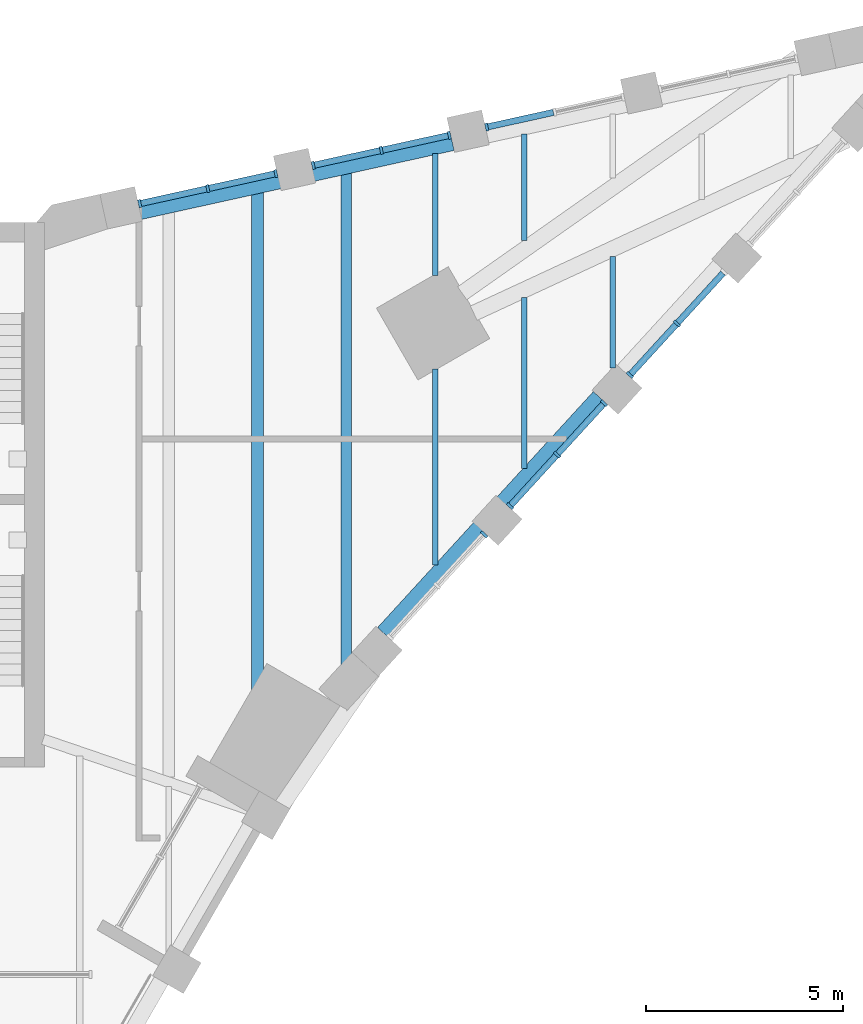
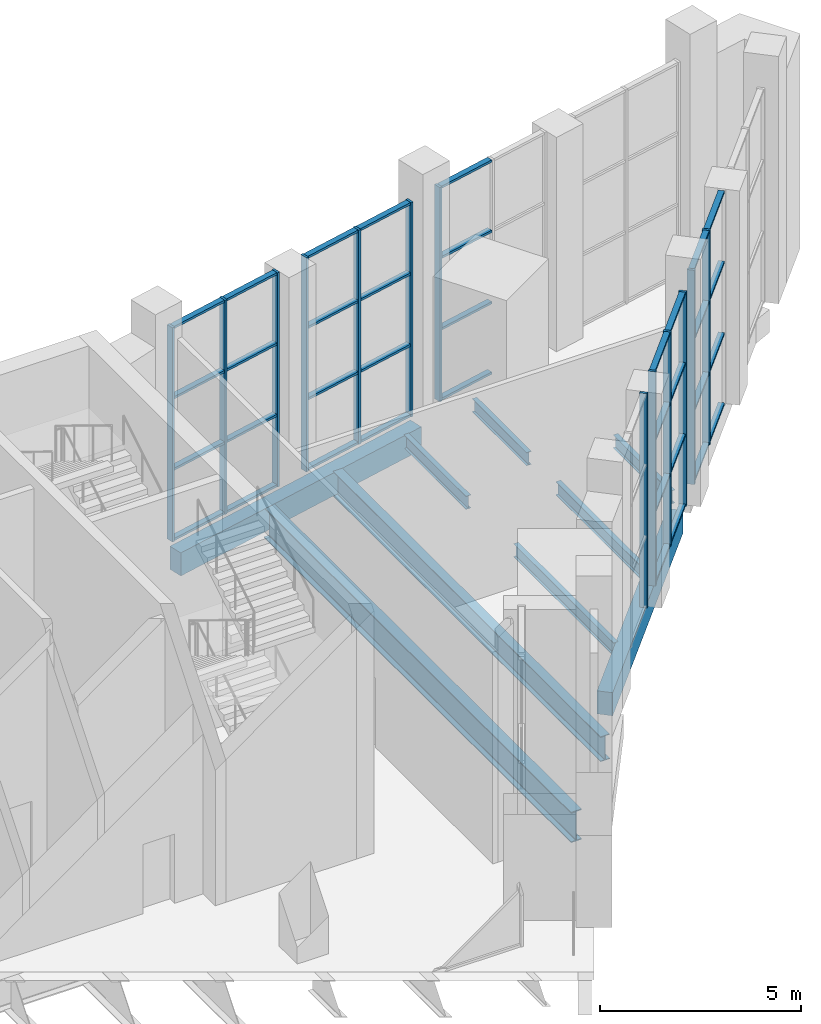
# One storey, part 5 of 14: 49 members, 9 beams, 6 elements without a shape of their own.
"""IFC4 building model written with IfcOpenShell, lengths in metres."""

from ifc_helpers import new_model, si_unit, direction, frame, origin, origin_2d, place, context, subcontext, project, spatial, rectangle, i_section, extrude, material, material_profile, profile_set, type_object, element, aggregate, save


model = new_model("IFC4")

# Units and contexts
model_context = context("Model", 3, precision=1e-05, world=origin(), true_north=direction((0.0, 1.0)))
body_context = subcontext(model_context, "Body", "Model", "MODEL_VIEW")
ifc_project = project(units=[si_unit("LENGTHUNIT", "METRE"), si_unit("AREAUNIT", "SQUARE_METRE"), si_unit("VOLUMEUNIT", "CUBIC_METRE"), si_unit("PLANEANGLEUNIT", "RADIAN"), si_unit("MASSUNIT", "GRAM", prefix="KILO")], contexts=[model_context])

# Site, building, storey
site_placement = place(None, origin())
site = spatial("IfcSite", under=ifc_project, at=site_placement, CompositionType="ELEMENT")
building_placement = place(site_placement, origin())
building = spatial("IfcBuilding", under=site, at=building_placement, Name="Calabash Gate Tower", CompositionType="ELEMENT")
storey_placement = place(building_placement, frame((0.0, 0.0, 295.0)))
storey = spatial("IfcBuildingStorey", under=building, at=storey_placement, Name="L71", CompositionType="ELEMENT", Elevation=295.0)

# Beams
ifc_material_1 = material(Name="Concrete C50/60", Category="concrete")
ifc_material_profile_1 = material_profile(ifc_material_1, rectangle(XDim=0.39990234375, YDim=0.699951171875, at=origin_2d()))
ifc_profile_set_1 = profile_set([ifc_material_profile_1], Name="Concrete C50/60")
beam_type_1 = type_object("IfcBeamType", Name="Edge beam RC 400x700 Concrete C50/60", PredefinedType="BEAM", material=ifc_profile_set_1)
beam_1_placement = place(storey_placement, frame((21.18701171875, 8.652099609375, -0.52001953125), z_axis=(0.674873802315, 0.737933161573, 0.0), x_axis=(-0.737933161573, 0.674873802315, 0.0)))
element("IfcBeam", 1, at=beam_1_placement, inside=storey, type_object=beam_type_1, Name="Edge beam L71 10", PredefinedType="BEAM", context=body_context, shape_type="SweptSolid", body=[
    extrude(rectangle(XDim=0.39990234375, YDim=0.699951171875, at=origin_2d()), origin(), (0.0, 0.0, 1.0), 8.099365234375),
])
beam_2_placement = place(storey_placement, frame((22.93603515625, 21.06591796875, -0.52001953125), z_axis=(-0.976517152373, -0.215439669332, 0.0), x_axis=(0.215439669332, -0.976517152373, 0.0)))
element("IfcBeam", 2, at=beam_2_placement, inside=storey, type_object=beam_type_1, Name="Edge beam L71 15", PredefinedType="BEAM", context=body_context, shape_type="SweptSolid", body=[
    extrude(rectangle(XDim=0.39990234375, YDim=0.699951171875, at=origin_2d()), origin(), (0.0, 0.0, 1.0), 8.09912109375),
])
ifc_material_2 = material(Name="Steel ASTM A992 Gr50", Category="steel")
ifc_material_profile_2 = material_profile(ifc_material_2, i_section(OverallWidth=0.1396484375, OverallDepth=0.398681640625, WebThickness=0.00634765625, FlangeThickness=0.0087890625, FilletRadius=0.01025390625, at=origin_2d()))
ifc_profile_set_2 = profile_set([ifc_material_profile_2], Name="Steel ASTM A992 Gr50")
beam_type_2 = type_object("IfcBeamType", Name="Floor beam W16x26 ASTM A992 Gr50", PredefinedType="BEAM", material=ifc_profile_set_2)
beam_3_placement = place(storey_placement, frame((22.5, 10.3720703125, -0.368896484375), z_axis=(0.0, 1.0, 0.0), x_axis=(-1.0, 0.0, 0.0)))
element("IfcBeam", 3, at=beam_3_placement, inside=storey, type_object=beam_type_2, Name="Floor beam L71 29", PredefinedType="BEAM", context=body_context, shape_type="SweptSolid", body=[
    extrude(i_section(OverallWidth=0.1396484375, OverallDepth=0.398681640625, WebThickness=0.00634765625, FlangeThickness=0.0087890625, FilletRadius=0.01025390625, at=origin_2d()), origin(), (0.0, 0.0, 1.0), 4.969970703125),
])
beam_4_placement = place(storey_placement, frame((22.5, 17.702880859375, -0.368896484375), z_axis=(0.0, 1.0, 0.0), x_axis=(-1.0, 0.0, 0.0)))
element("IfcBeam", 4, at=beam_4_placement, inside=storey, type_object=beam_type_2, Name="Floor beam L71 30", PredefinedType="BEAM", context=body_context, shape_type="SweptSolid", body=[
    extrude(i_section(OverallWidth=0.1396484375, OverallDepth=0.398681640625, WebThickness=0.00634765625, FlangeThickness=0.0087890625, FilletRadius=0.01025390625, at=origin_2d()), origin(), (0.0, 0.0, 1.0), 3.09423828125),
])
beam_5_placement = place(storey_placement, frame((24.75, 12.81298828125, -0.368896484375), z_axis=(0.0, 1.0, 0.0), x_axis=(-1.0, 0.0, 0.0)))
element("IfcBeam", 5, at=beam_5_placement, inside=storey, type_object=beam_type_2, Name="Floor beam L71 31", PredefinedType="BEAM", context=body_context, shape_type="SweptSolid", body=[
    extrude(i_section(OverallWidth=0.1396484375, OverallDepth=0.398681640625, WebThickness=0.00634765625, FlangeThickness=0.0087890625, FilletRadius=0.01025390625, at=origin_2d()), origin(), (0.0, 0.0, 1.0), 4.328125),
])
beam_6_placement = place(storey_placement, frame((24.75, 18.589111328125, -0.368896484375), z_axis=(0.0, 1.0, 0.0), x_axis=(-1.0, 0.0, 0.0)))
element("IfcBeam", 6, at=beam_6_placement, inside=storey, type_object=beam_type_2, Name="Floor beam L71 32", PredefinedType="BEAM", context=body_context, shape_type="SweptSolid", body=[
    extrude(i_section(OverallWidth=0.1396484375, OverallDepth=0.398681640625, WebThickness=0.00634765625, FlangeThickness=0.0087890625, FilletRadius=0.01025390625, at=origin_2d()), origin(), (0.0, 0.0, 1.0), 2.704833984375),
])
beam_7_placement = place(storey_placement, frame((27.0, 15.35693359375, -0.368896484375), z_axis=(0.0, 1.0, 0.0), x_axis=(-1.0, 0.0, 0.0)))
element("IfcBeam", 7, at=beam_7_placement, inside=storey, type_object=beam_type_2, Name="Floor beam L71 33", PredefinedType="BEAM", context=body_context, shape_type="SweptSolid", body=[
    extrude(i_section(OverallWidth=0.1396484375, OverallDepth=0.398681640625, WebThickness=0.00634765625, FlangeThickness=0.0087890625, FilletRadius=0.01025390625, at=origin_2d()), origin(), (0.0, 0.0, 1.0), 2.8271484375),
])
ifc_material_3 = material(Name="Steel ASTM A992 Gr50", Category="steel")
ifc_material_profile_3 = material_profile(ifc_material_3, i_section(OverallWidth=0.2666015625, OverallDepth=0.7568359375, WebThickness=0.013916015625, FlangeThickness=0.019287109375, FilletRadius=0.0166015625, at=origin_2d()))
ifc_profile_set_3 = profile_set([ifc_material_profile_3], Name="Steel ASTM A992 Gr50")
beam_type_3 = type_object("IfcBeamType", Name="Floor beam W30x108 ASTM A992 Gr50", PredefinedType="BEAM", material=ifc_profile_set_3)
beam_8_placement = place(storey_placement, frame((20.25, 7.011962890625, -0.548095703125), z_axis=(0.0, 1.0, 0.0), x_axis=(-1.0, 0.0, 0.0)))
element("IfcBeam", 8, at=beam_8_placement, inside=storey, type_object=beam_type_3, Name="Floor beam L71 28", PredefinedType="BEAM", context=body_context, shape_type="SweptSolid", body=[
    extrude(i_section(OverallWidth=0.2666015625, OverallDepth=0.7568359375, WebThickness=0.013916015625, FlangeThickness=0.019287109375, FilletRadius=0.0166015625, at=origin_2d()), origin(), (0.0, 0.0, 1.0), 13.2890625),
])
ifc_material_4 = material(Name="Steel ASTM A992 Gr50", Category="steel")
ifc_material_profile_4 = material_profile(ifc_material_4, i_section(OverallWidth=0.307373046875, OverallDepth=0.922119140625, WebThickness=0.018310546875, FlangeThickness=0.030029296875, FilletRadius=0.01904296875, at=origin_2d()))
ifc_profile_set_4 = profile_set([ifc_material_profile_4], Name="Steel ASTM A992 Gr50")
beam_type_4 = type_object("IfcBeamType", Name="Floor beam W36x182 ASTM A992 Gr50", PredefinedType="BEAM", material=ifc_profile_set_4)
beam_9_placement = place(storey_placement, frame((18.0, 4.547119140625, -0.631103515625), z_axis=(0.0, 1.0, 0.0), x_axis=(-1.0, 0.0, 0.0)))
element("IfcBeam", 9, at=beam_9_placement, inside=storey, type_object=beam_type_4, Name="Floor beam L71 27", PredefinedType="BEAM", context=body_context, shape_type="SweptSolid", body=[
    extrude(i_section(OverallWidth=0.307373046875, OverallDepth=0.922119140625, WebThickness=0.018310546875, FlangeThickness=0.030029296875, FilletRadius=0.01904296875, at=origin_2d()), origin(), (0.0, 0.0, 1.0), 15.2568359375),
])

# Curtain wall, member
ifc_material_5 = material(Name="Anodised aluminium frame, bronze finish, clear laminated impact-rated glazing", Category="aluminium")
curtain_wall_type = type_object("IfcCurtainWallType", Name="Curtain wall CWW wedge prow wall", PredefinedType="NOTDEFINED", material=ifc_material_5)
curtain_wall_1_placement = place(storey_placement, origin())
curtain_wall_1 = element("IfcCurtainWall", 10, at=curtain_wall_1_placement, inside=storey, type_object=curtain_wall_type, Name="Curtain wall CWW L71 wedge3.1", PredefinedType="NOTDEFINED")
ifc_material_6 = material(Name="Anodised aluminium frame, bronze finish", Category="aluminium")
ifc_material_profile_5 = material_profile(ifc_material_6, rectangle(XDim=0.199951171875, YDim=0.070068359375, at=origin_2d()))
ifc_profile_set_5 = profile_set([ifc_material_profile_5], Name="Anodised aluminium frame, bronze finish")
member_type_1 = type_object("IfcMemberType", Name="Mullion CWW 70x200", PredefinedType="MULLION", material=ifc_profile_set_5)
member_1_placement = place(storey_placement, frame((23.739990234375, 11.1474609375, 0.0), z_axis=(0.0, 0.0, 1.0), x_axis=(-0.737949526234, 0.674855908125, 0.0)))
member_1 = element("IfcMember", 11, at=member_1_placement, type_object=member_type_1, Name="CWW mullion 3", PredefinedType="MULLION", context=body_context, shape_type="SweptSolid", body=[
    extrude(rectangle(XDim=0.199951171875, YDim=0.070068359375, at=origin_2d()), origin(), (0.0, 0.0, 1.0), 6.5),
])
aggregate(curtain_wall_1, [member_1])

# Curtain wall, members
curtain_wall_2_placement = place(storey_placement, origin())
curtain_wall_2 = element("IfcCurtainWall", 12, at=curtain_wall_2_placement, inside=storey, type_object=curtain_wall_type, Name="Curtain wall CWW L71 wedge3.2", PredefinedType="NOTDEFINED")
member_2_placement = place(storey_placement, frame((24.394775390625, 11.86328125, 0.0), z_axis=(0.0, 0.0, 1.0), x_axis=(-0.737949387896, 0.674856059397, 0.0)))
member_2 = element("IfcMember", 13, at=member_2_placement, type_object=member_type_1, Name="CWW mullion 1", PredefinedType="MULLION", context=body_context, shape_type="SweptSolid", body=[
    extrude(rectangle(XDim=0.199951171875, YDim=0.070068359375, at=origin_2d()), origin(), (0.0, 0.0, 1.0), 6.5),
])
member_3_placement = place(storey_placement, frame((25.585693359375, 13.165771484375, 0.0), z_axis=(0.0, 0.0, 1.0), x_axis=(-0.737949387896, 0.674856059397, 0.0)))
member_3 = element("IfcMember", 14, at=member_3_placement, type_object=member_type_1, Name="CWW mullion 2", PredefinedType="MULLION", context=body_context, shape_type="SweptSolid", body=[
    extrude(rectangle(XDim=0.199951171875, YDim=0.070068359375, at=origin_2d()), origin(), (0.0, 0.0, 1.0), 6.5),
])
member_4_placement = place(storey_placement, frame((26.77685546875, 14.46826171875, 0.0), z_axis=(0.0, 0.0, 1.0), x_axis=(-0.737949387896, 0.674856059397, 0.0)))
member_4 = element("IfcMember", 15, at=member_4_placement, type_object=member_type_1, Name="CWW mullion 3", PredefinedType="MULLION", context=body_context, shape_type="SweptSolid", body=[
    extrude(rectangle(XDim=0.199951171875, YDim=0.070068359375, at=origin_2d()), origin(), (0.0, 0.0, 1.0), 6.5),
])

curtain_wall_3_placement = place(storey_placement, origin())
curtain_wall_3 = element("IfcCurtainWall", 16, at=curtain_wall_3_placement, inside=storey, type_object=curtain_wall_type, Name="Curtain wall CWW L71 wedge3.3", PredefinedType="NOTDEFINED")
member_5_placement = place(storey_placement, frame((27.431640625, 15.18408203125, 0.0), z_axis=(0.0, 0.0, 1.0), x_axis=(-0.737949387896, 0.674856059397, 0.0)))
member_5 = element("IfcMember", 17, at=member_5_placement, type_object=member_type_1, Name="CWW mullion 1", PredefinedType="MULLION", context=body_context, shape_type="SweptSolid", body=[
    extrude(rectangle(XDim=0.199951171875, YDim=0.070068359375, at=origin_2d()), origin(), (0.0, 0.0, 1.0), 6.5),
])
member_6_placement = place(storey_placement, frame((28.62255859375, 16.486572265625, 0.0), z_axis=(0.0, 0.0, 1.0), x_axis=(-0.737949387896, 0.674856059397, 0.0)))
member_6 = element("IfcMember", 18, at=member_6_placement, type_object=member_type_1, Name="CWW mullion 2", PredefinedType="MULLION", context=body_context, shape_type="SweptSolid", body=[
    extrude(rectangle(XDim=0.199951171875, YDim=0.070068359375, at=origin_2d()), origin(), (0.0, 0.0, 1.0), 6.5),
])

# Curtain wall, member
curtain_wall_4_placement = place(storey_placement, origin())
curtain_wall_4 = element("IfcCurtainWall", 19, at=curtain_wall_4_placement, inside=storey, type_object=curtain_wall_type, Name="Curtain wall CWW L71 wedge5.2", PredefinedType="NOTDEFINED")
member_7_placement = place(storey_placement, frame((23.806396484375, 21.463134765625, 0.0), z_axis=(0.0, 0.0, 1.0), x_axis=(0.215467744008, -0.976510958101, 0.0)))
member_7 = element("IfcMember", 20, at=member_7_placement, type_object=member_type_1, Name="CWW mullion 3", PredefinedType="MULLION", context=body_context, shape_type="SweptSolid", body=[
    extrude(rectangle(XDim=0.199951171875, YDim=0.070068359375, at=origin_2d()), origin(), (0.0, 0.0, 1.0), 6.5),
])

# Curtain wall, members
curtain_wall_5_placement = place(storey_placement, origin())
curtain_wall_5 = element("IfcCurtainWall", 21, at=curtain_wall_5_placement, inside=storey, type_object=curtain_wall_type, Name="Curtain wall CWW L71 wedge5.3", PredefinedType="NOTDEFINED")
member_8_placement = place(storey_placement, frame((22.859130859375, 21.254150390625, 0.0), z_axis=(0.0, 0.0, 1.0), x_axis=(0.215467802466, -0.976510945203, 0.0)))
member_8 = element("IfcMember", 22, at=member_8_placement, type_object=member_type_1, Name="CWW mullion 1", PredefinedType="MULLION", context=body_context, shape_type="SweptSolid", body=[
    extrude(rectangle(XDim=0.199951171875, YDim=0.070068359375, at=origin_2d()), origin(), (0.0, 0.0, 1.0), 6.5),
])
member_9_placement = place(storey_placement, frame((21.135498046875, 20.873779296875, 0.0), z_axis=(0.0, 0.0, 1.0), x_axis=(0.215467802466, -0.976510945203, 0.0)))
member_9 = element("IfcMember", 23, at=member_9_placement, type_object=member_type_1, Name="CWW mullion 2", PredefinedType="MULLION", context=body_context, shape_type="SweptSolid", body=[
    extrude(rectangle(XDim=0.199951171875, YDim=0.070068359375, at=origin_2d()), origin(), (0.0, 0.0, 1.0), 6.5),
])
member_10_placement = place(storey_placement, frame((19.412109375, 20.49365234375, 0.0), z_axis=(0.0, 0.0, 1.0), x_axis=(0.215467802466, -0.976510945203, 0.0)))
member_10 = element("IfcMember", 24, at=member_10_placement, type_object=member_type_1, Name="CWW mullion 3", PredefinedType="MULLION", context=body_context, shape_type="SweptSolid", body=[
    extrude(rectangle(XDim=0.199951171875, YDim=0.070068359375, at=origin_2d()), origin(), (0.0, 0.0, 1.0), 6.5),
])

curtain_wall_6_placement = place(storey_placement, origin())
curtain_wall_6 = element("IfcCurtainWall", 25, at=curtain_wall_6_placement, inside=storey, type_object=curtain_wall_type, Name="Curtain wall CWW L71 wedge5.4", PredefinedType="NOTDEFINED")
member_11_placement = place(storey_placement, frame((18.46484375, 20.284423828125, 0.0), z_axis=(0.0, 0.0, 1.0), x_axis=(0.215467802466, -0.976510945203, 0.0)))
member_11 = element("IfcMember", 26, at=member_11_placement, type_object=member_type_1, Name="CWW mullion 1", PredefinedType="MULLION", context=body_context, shape_type="SweptSolid", body=[
    extrude(rectangle(XDim=0.199951171875, YDim=0.070068359375, at=origin_2d()), origin(), (0.0, 0.0, 1.0), 6.5),
])
member_12_placement = place(storey_placement, frame((16.7412109375, 19.904296875, 0.0), z_axis=(0.0, 0.0, 1.0), x_axis=(0.215467802466, -0.976510945203, 0.0)))
member_12 = element("IfcMember", 27, at=member_12_placement, type_object=member_type_1, Name="CWW mullion 2", PredefinedType="MULLION", context=body_context, shape_type="SweptSolid", body=[
    extrude(rectangle(XDim=0.199951171875, YDim=0.070068359375, at=origin_2d()), origin(), (0.0, 0.0, 1.0), 6.5),
])
member_13_placement = place(storey_placement, frame((15.017822265625, 19.52392578125, 0.0), z_axis=(0.0, 0.0, 1.0), x_axis=(0.215467802466, -0.976510945203, 0.0)))
member_13 = element("IfcMember", 28, at=member_13_placement, type_object=member_type_1, Name="CWW mullion 3", PredefinedType="MULLION", context=body_context, shape_type="SweptSolid", body=[
    extrude(rectangle(XDim=0.199951171875, YDim=0.070068359375, at=origin_2d()), origin(), (0.0, 0.0, 1.0), 6.5),
])

# Member
ifc_material_7 = material(Name="Anodised aluminium frame, bronze finish", Category="aluminium")
ifc_material_profile_6 = material_profile(ifc_material_7, rectangle(XDim=0.159912109375, YDim=0.070068359375, at=origin_2d()))
ifc_profile_set_6 = profile_set([ifc_material_profile_6], Name="Anodised aluminium frame, bronze finish")
member_type_2 = type_object("IfcMemberType", Name="Transom CWW 70x160", PredefinedType="USERDEFINED", material=ifc_profile_set_6)
member_14_placement = place(storey_placement, frame((24.418212890625, 11.88916015625, 0.034912109375), z_axis=(0.674935053329, 0.737877140036, 0.0), x_axis=(-0.737877140036, 0.674935053329, 0.0)))
member_14 = element("IfcMember", 29, at=member_14_placement, type_object=member_type_2, Name="CWW transom 1.1", ObjectType="TRANSOM", PredefinedType="USERDEFINED", context=body_context, shape_type="SweptSolid", body=[
    extrude(rectangle(XDim=0.159912109375, YDim=0.070068359375, at=origin_2d()), origin(), (0.0, 0.0, 1.0), 1.695068359375),
])

member_15_placement = place(storey_placement, frame((24.418212890625, 11.88916015625, 2.166748046875), z_axis=(0.674935053329, 0.737877140036, 0.0), x_axis=(-0.737877140036, 0.674935053329, 0.0)))
member_15 = element("IfcMember", 30, at=member_15_placement, type_object=member_type_2, Name="CWW transom 1.2", ObjectType="TRANSOM", PredefinedType="USERDEFINED", context=body_context, shape_type="SweptSolid", body=[
    extrude(rectangle(XDim=0.159912109375, YDim=0.070068359375, at=origin_2d()), origin(), (0.0, 0.0, 1.0), 1.695068359375),
])

member_16_placement = place(storey_placement, frame((24.418212890625, 11.88916015625, 4.333251953125), z_axis=(0.674935053329, 0.737877140036, 0.0), x_axis=(-0.737877140036, 0.674935053329, 0.0)))
member_16 = element("IfcMember", 31, at=member_16_placement, type_object=member_type_2, Name="CWW transom 1.3", ObjectType="TRANSOM", PredefinedType="USERDEFINED", context=body_context, shape_type="SweptSolid", body=[
    extrude(rectangle(XDim=0.159912109375, YDim=0.070068359375, at=origin_2d()), origin(), (0.0, 0.0, 1.0), 1.695068359375),
])

member_17_placement = place(storey_placement, frame((24.418212890625, 11.88916015625, 6.465087890625), z_axis=(0.674935053329, 0.737877140036, 0.0), x_axis=(-0.737877140036, 0.674935053329, 0.0)))
member_17 = element("IfcMember", 32, at=member_17_placement, type_object=member_type_2, Name="CWW transom 1.4", ObjectType="TRANSOM", PredefinedType="USERDEFINED", context=body_context, shape_type="SweptSolid", body=[
    extrude(rectangle(XDim=0.159912109375, YDim=0.070068359375, at=origin_2d()), origin(), (0.0, 0.0, 1.0), 1.695068359375),
])

member_18_placement = place(storey_placement, frame((25.609375, 13.191650390625, 0.034912109375), z_axis=(0.674935053329, 0.737877140036, 0.0), x_axis=(-0.737877140036, 0.674935053329, 0.0)))
member_18 = element("IfcMember", 33, at=member_18_placement, type_object=member_type_2, Name="CWW transom 2.1", ObjectType="TRANSOM", PredefinedType="USERDEFINED", context=body_context, shape_type="SweptSolid", body=[
    extrude(rectangle(XDim=0.159912109375, YDim=0.070068359375, at=origin_2d()), origin(), (0.0, 0.0, 1.0), 1.695068359375),
])

member_19_placement = place(storey_placement, frame((25.609375, 13.191650390625, 2.166748046875), z_axis=(0.674935053329, 0.737877140036, 0.0), x_axis=(-0.737877140036, 0.674935053329, 0.0)))
member_19 = element("IfcMember", 34, at=member_19_placement, type_object=member_type_2, Name="CWW transom 2.2", ObjectType="TRANSOM", PredefinedType="USERDEFINED", context=body_context, shape_type="SweptSolid", body=[
    extrude(rectangle(XDim=0.159912109375, YDim=0.070068359375, at=origin_2d()), origin(), (0.0, 0.0, 1.0), 1.695068359375),
])

member_20_placement = place(storey_placement, frame((25.609375, 13.191650390625, 4.333251953125), z_axis=(0.674935053329, 0.737877140036, 0.0), x_axis=(-0.737877140036, 0.674935053329, 0.0)))
member_20 = element("IfcMember", 35, at=member_20_placement, type_object=member_type_2, Name="CWW transom 2.3", ObjectType="TRANSOM", PredefinedType="USERDEFINED", context=body_context, shape_type="SweptSolid", body=[
    extrude(rectangle(XDim=0.159912109375, YDim=0.070068359375, at=origin_2d()), origin(), (0.0, 0.0, 1.0), 1.695068359375),
])

member_21_placement = place(storey_placement, frame((25.609375, 13.191650390625, 6.465087890625), z_axis=(0.674935053329, 0.737877140036, 0.0), x_axis=(-0.737877140036, 0.674935053329, 0.0)))
member_21 = element("IfcMember", 36, at=member_21_placement, type_object=member_type_2, Name="CWW transom 2.4", ObjectType="TRANSOM", PredefinedType="USERDEFINED", context=body_context, shape_type="SweptSolid", body=[
    extrude(rectangle(XDim=0.159912109375, YDim=0.070068359375, at=origin_2d()), origin(), (0.0, 0.0, 1.0), 1.695068359375),
])

aggregate(curtain_wall_2, [member_2, member_3, member_4, member_14, member_15, member_16, member_17, member_18, member_19, member_20, member_21])

member_22_placement = place(storey_placement, frame((27.455078125, 15.2099609375, 0.034912109375), z_axis=(0.674935053329, 0.737877140036, 0.0), x_axis=(-0.737877140036, 0.674935053329, 0.0)))
member_22 = element("IfcMember", 37, at=member_22_placement, type_object=member_type_2, Name="CWW transom 1.1", ObjectType="TRANSOM", PredefinedType="USERDEFINED", context=body_context, shape_type="SweptSolid", body=[
    extrude(rectangle(XDim=0.159912109375, YDim=0.070068359375, at=origin_2d()), origin(), (0.0, 0.0, 1.0), 1.695068359375),
])

member_23_placement = place(storey_placement, frame((27.455078125, 15.2099609375, 2.166748046875), z_axis=(0.674935053329, 0.737877140036, 0.0), x_axis=(-0.737877140036, 0.674935053329, 0.0)))
member_23 = element("IfcMember", 38, at=member_23_placement, type_object=member_type_2, Name="CWW transom 1.2", ObjectType="TRANSOM", PredefinedType="USERDEFINED", context=body_context, shape_type="SweptSolid", body=[
    extrude(rectangle(XDim=0.159912109375, YDim=0.070068359375, at=origin_2d()), origin(), (0.0, 0.0, 1.0), 1.695068359375),
])

member_24_placement = place(storey_placement, frame((27.455078125, 15.2099609375, 4.333251953125), z_axis=(0.674935053329, 0.737877140036, 0.0), x_axis=(-0.737877140036, 0.674935053329, 0.0)))
member_24 = element("IfcMember", 39, at=member_24_placement, type_object=member_type_2, Name="CWW transom 1.3", ObjectType="TRANSOM", PredefinedType="USERDEFINED", context=body_context, shape_type="SweptSolid", body=[
    extrude(rectangle(XDim=0.159912109375, YDim=0.070068359375, at=origin_2d()), origin(), (0.0, 0.0, 1.0), 1.695068359375),
])

member_25_placement = place(storey_placement, frame((27.455078125, 15.2099609375, 6.465087890625), z_axis=(0.674935053329, 0.737877140036, 0.0), x_axis=(-0.737877140036, 0.674935053329, 0.0)))
member_25 = element("IfcMember", 40, at=member_25_placement, type_object=member_type_2, Name="CWW transom 1.4", ObjectType="TRANSOM", PredefinedType="USERDEFINED", context=body_context, shape_type="SweptSolid", body=[
    extrude(rectangle(XDim=0.159912109375, YDim=0.070068359375, at=origin_2d()), origin(), (0.0, 0.0, 1.0), 1.695068359375),
])

member_26_placement = place(storey_placement, frame((28.646240234375, 16.512451171875, 0.034912109375), z_axis=(0.674856621718, 0.737948873652, 0.0), x_axis=(-0.737948873652, 0.674856621718, 0.0)))
member_26 = element("IfcMember", 41, at=member_26_placement, type_object=member_type_2, Name="CWW transom 2.1", ObjectType="TRANSOM", PredefinedType="USERDEFINED", context=body_context, shape_type="SweptSolid", body=[
    extrude(rectangle(XDim=0.159912109375, YDim=0.070068359375, at=origin_2d()), origin(), (0.0, 0.0, 1.0), 1.69482421875),
])

member_27_placement = place(storey_placement, frame((28.646240234375, 16.512451171875, 2.166748046875), z_axis=(0.674856621718, 0.737948873652, 0.0), x_axis=(-0.737948873652, 0.674856621718, 0.0)))
member_27 = element("IfcMember", 42, at=member_27_placement, type_object=member_type_2, Name="CWW transom 2.2", ObjectType="TRANSOM", PredefinedType="USERDEFINED", context=body_context, shape_type="SweptSolid", body=[
    extrude(rectangle(XDim=0.159912109375, YDim=0.070068359375, at=origin_2d()), origin(), (0.0, 0.0, 1.0), 1.69482421875),
])

member_28_placement = place(storey_placement, frame((28.646240234375, 16.512451171875, 4.333251953125), z_axis=(0.674856621718, 0.737948873652, 0.0), x_axis=(-0.737948873652, 0.674856621718, 0.0)))
member_28 = element("IfcMember", 43, at=member_28_placement, type_object=member_type_2, Name="CWW transom 2.3", ObjectType="TRANSOM", PredefinedType="USERDEFINED", context=body_context, shape_type="SweptSolid", body=[
    extrude(rectangle(XDim=0.159912109375, YDim=0.070068359375, at=origin_2d()), origin(), (0.0, 0.0, 1.0), 1.69482421875),
])

member_29_placement = place(storey_placement, frame((28.646240234375, 16.512451171875, 6.465087890625), z_axis=(0.674856621718, 0.737948873652, 0.0), x_axis=(-0.737948873652, 0.674856621718, 0.0)))
member_29 = element("IfcMember", 44, at=member_29_placement, type_object=member_type_2, Name="CWW transom 2.4", ObjectType="TRANSOM", PredefinedType="USERDEFINED", context=body_context, shape_type="SweptSolid", body=[
    extrude(rectangle(XDim=0.159912109375, YDim=0.070068359375, at=origin_2d()), origin(), (0.0, 0.0, 1.0), 1.69482421875),
])

aggregate(curtain_wall_3, [member_5, member_6, member_22, member_23, member_24, member_25, member_26, member_27, member_28, member_29])

member_30_placement = place(storey_placement, frame((25.49560546875, 21.8359375, 0.034912109375), z_axis=(-0.976504608688, -0.215496517864, 0.0), x_axis=(0.215496517864, -0.976504608688, 0.0)))
member_30 = element("IfcMember", 45, at=member_30_placement, type_object=member_type_2, Name="CWW transom 2.1", ObjectType="TRANSOM", PredefinedType="USERDEFINED", context=body_context, shape_type="SweptSolid", body=[
    extrude(rectangle(XDim=0.159912109375, YDim=0.070068359375, at=origin_2d()), origin(), (0.0, 0.0, 1.0), 1.69482421875),
])

member_31_placement = place(storey_placement, frame((25.49560546875, 21.8359375, 2.166748046875), z_axis=(-0.976504608688, -0.215496517864, 0.0), x_axis=(0.215496517864, -0.976504608688, 0.0)))
member_31 = element("IfcMember", 46, at=member_31_placement, type_object=member_type_2, Name="CWW transom 2.2", ObjectType="TRANSOM", PredefinedType="USERDEFINED", context=body_context, shape_type="SweptSolid", body=[
    extrude(rectangle(XDim=0.159912109375, YDim=0.070068359375, at=origin_2d()), origin(), (0.0, 0.0, 1.0), 1.69482421875),
])

member_32_placement = place(storey_placement, frame((25.49560546875, 21.8359375, 4.333251953125), z_axis=(-0.976504608688, -0.215496517864, 0.0), x_axis=(0.215496517864, -0.976504608688, 0.0)))
member_32 = element("IfcMember", 47, at=member_32_placement, type_object=member_type_2, Name="CWW transom 2.3", ObjectType="TRANSOM", PredefinedType="USERDEFINED", context=body_context, shape_type="SweptSolid", body=[
    extrude(rectangle(XDim=0.159912109375, YDim=0.070068359375, at=origin_2d()), origin(), (0.0, 0.0, 1.0), 1.69482421875),
])

member_33_placement = place(storey_placement, frame((25.49560546875, 21.8359375, 6.465087890625), z_axis=(-0.976504608688, -0.215496517864, 0.0), x_axis=(0.215496517864, -0.976504608688, 0.0)))
member_33 = element("IfcMember", 48, at=member_33_placement, type_object=member_type_2, Name="CWW transom 2.4", ObjectType="TRANSOM", PredefinedType="USERDEFINED", context=body_context, shape_type="SweptSolid", body=[
    extrude(rectangle(XDim=0.159912109375, YDim=0.070068359375, at=origin_2d()), origin(), (0.0, 0.0, 1.0), 1.69482421875),
])

aggregate(curtain_wall_4, [member_7, member_30, member_31, member_32, member_33])

member_34_placement = place(storey_placement, frame((22.824951171875, 21.24658203125, 0.034912109375), z_axis=(-0.976511296708, -0.215466209421, 0.0), x_axis=(0.215466209421, -0.976511296708, 0.0)))
member_34 = element("IfcMember", 49, at=member_34_placement, type_object=member_type_2, Name="CWW transom 1.1", ObjectType="TRANSOM", PredefinedType="USERDEFINED", context=body_context, shape_type="SweptSolid", body=[
    extrude(rectangle(XDim=0.159912109375, YDim=0.070068359375, at=origin_2d()), origin(), (0.0, 0.0, 1.0), 1.695068359375),
])

member_35_placement = place(storey_placement, frame((22.824951171875, 21.24658203125, 2.166748046875), z_axis=(-0.976511296708, -0.215466209421, 0.0), x_axis=(0.215466209421, -0.976511296708, 0.0)))
member_35 = element("IfcMember", 50, at=member_35_placement, type_object=member_type_2, Name="CWW transom 1.2", ObjectType="TRANSOM", PredefinedType="USERDEFINED", context=body_context, shape_type="SweptSolid", body=[
    extrude(rectangle(XDim=0.159912109375, YDim=0.070068359375, at=origin_2d()), origin(), (0.0, 0.0, 1.0), 1.695068359375),
])

member_36_placement = place(storey_placement, frame((22.824951171875, 21.24658203125, 4.333251953125), z_axis=(-0.976511296708, -0.215466209421, 0.0), x_axis=(0.215466209421, -0.976511296708, 0.0)))
member_36 = element("IfcMember", 51, at=member_36_placement, type_object=member_type_2, Name="CWW transom 1.3", ObjectType="TRANSOM", PredefinedType="USERDEFINED", context=body_context, shape_type="SweptSolid", body=[
    extrude(rectangle(XDim=0.159912109375, YDim=0.070068359375, at=origin_2d()), origin(), (0.0, 0.0, 1.0), 1.695068359375),
])

member_37_placement = place(storey_placement, frame((22.824951171875, 21.24658203125, 6.465087890625), z_axis=(-0.976511296708, -0.215466209421, 0.0), x_axis=(0.215466209421, -0.976511296708, 0.0)))
member_37 = element("IfcMember", 52, at=member_37_placement, type_object=member_type_2, Name="CWW transom 1.4", ObjectType="TRANSOM", PredefinedType="USERDEFINED", context=body_context, shape_type="SweptSolid", body=[
    extrude(rectangle(XDim=0.159912109375, YDim=0.070068359375, at=origin_2d()), origin(), (0.0, 0.0, 1.0), 1.695068359375),
])

member_38_placement = place(storey_placement, frame((21.101318359375, 20.8662109375, 0.034912109375), z_axis=(-0.976504608688, -0.215496517864, 0.0), x_axis=(0.215496517864, -0.976504608688, 0.0)))
member_38 = element("IfcMember", 53, at=member_38_placement, type_object=member_type_2, Name="CWW transom 2.1", ObjectType="TRANSOM", PredefinedType="USERDEFINED", context=body_context, shape_type="SweptSolid", body=[
    extrude(rectangle(XDim=0.159912109375, YDim=0.070068359375, at=origin_2d()), origin(), (0.0, 0.0, 1.0), 1.69482421875),
])

member_39_placement = place(storey_placement, frame((21.101318359375, 20.8662109375, 2.166748046875), z_axis=(-0.976504608688, -0.215496517864, 0.0), x_axis=(0.215496517864, -0.976504608688, 0.0)))
member_39 = element("IfcMember", 54, at=member_39_placement, type_object=member_type_2, Name="CWW transom 2.2", ObjectType="TRANSOM", PredefinedType="USERDEFINED", context=body_context, shape_type="SweptSolid", body=[
    extrude(rectangle(XDim=0.159912109375, YDim=0.070068359375, at=origin_2d()), origin(), (0.0, 0.0, 1.0), 1.69482421875),
])

member_40_placement = place(storey_placement, frame((21.101318359375, 20.8662109375, 4.333251953125), z_axis=(-0.976504608688, -0.215496517864, 0.0), x_axis=(0.215496517864, -0.976504608688, 0.0)))
member_40 = element("IfcMember", 55, at=member_40_placement, type_object=member_type_2, Name="CWW transom 2.3", ObjectType="TRANSOM", PredefinedType="USERDEFINED", context=body_context, shape_type="SweptSolid", body=[
    extrude(rectangle(XDim=0.159912109375, YDim=0.070068359375, at=origin_2d()), origin(), (0.0, 0.0, 1.0), 1.69482421875),
])

member_41_placement = place(storey_placement, frame((21.101318359375, 20.8662109375, 6.465087890625), z_axis=(-0.976504608688, -0.215496517864, 0.0), x_axis=(0.215496517864, -0.976504608688, 0.0)))
member_41 = element("IfcMember", 56, at=member_41_placement, type_object=member_type_2, Name="CWW transom 2.4", ObjectType="TRANSOM", PredefinedType="USERDEFINED", context=body_context, shape_type="SweptSolid", body=[
    extrude(rectangle(XDim=0.159912109375, YDim=0.070068359375, at=origin_2d()), origin(), (0.0, 0.0, 1.0), 1.69482421875),
])

aggregate(curtain_wall_5, [member_8, member_9, member_10, member_34, member_35, member_36, member_37, member_38, member_39, member_40, member_41])

member_42_placement = place(storey_placement, frame((18.4306640625, 20.277099609375, 0.034912109375), z_axis=(-0.976511296708, -0.215466209421, 0.0), x_axis=(0.215466209421, -0.976511296708, 0.0)))
member_42 = element("IfcMember", 57, at=member_42_placement, type_object=member_type_2, Name="CWW transom 1.1", ObjectType="TRANSOM", PredefinedType="USERDEFINED", context=body_context, shape_type="SweptSolid", body=[
    extrude(rectangle(XDim=0.159912109375, YDim=0.070068359375, at=origin_2d()), origin(), (0.0, 0.0, 1.0), 1.695068359375),
])

member_43_placement = place(storey_placement, frame((18.4306640625, 20.277099609375, 2.166748046875), z_axis=(-0.976511296708, -0.215466209421, 0.0), x_axis=(0.215466209421, -0.976511296708, 0.0)))
member_43 = element("IfcMember", 58, at=member_43_placement, type_object=member_type_2, Name="CWW transom 1.2", ObjectType="TRANSOM", PredefinedType="USERDEFINED", context=body_context, shape_type="SweptSolid", body=[
    extrude(rectangle(XDim=0.159912109375, YDim=0.070068359375, at=origin_2d()), origin(), (0.0, 0.0, 1.0), 1.695068359375),
])

member_44_placement = place(storey_placement, frame((18.4306640625, 20.277099609375, 4.333251953125), z_axis=(-0.976511296708, -0.215466209421, 0.0), x_axis=(0.215466209421, -0.976511296708, 0.0)))
member_44 = element("IfcMember", 59, at=member_44_placement, type_object=member_type_2, Name="CWW transom 1.3", ObjectType="TRANSOM", PredefinedType="USERDEFINED", context=body_context, shape_type="SweptSolid", body=[
    extrude(rectangle(XDim=0.159912109375, YDim=0.070068359375, at=origin_2d()), origin(), (0.0, 0.0, 1.0), 1.695068359375),
])

member_45_placement = place(storey_placement, frame((18.4306640625, 20.277099609375, 6.465087890625), z_axis=(-0.976511296708, -0.215466209421, 0.0), x_axis=(0.215466209421, -0.976511296708, 0.0)))
member_45 = element("IfcMember", 60, at=member_45_placement, type_object=member_type_2, Name="CWW transom 1.4", ObjectType="TRANSOM", PredefinedType="USERDEFINED", context=body_context, shape_type="SweptSolid", body=[
    extrude(rectangle(XDim=0.159912109375, YDim=0.070068359375, at=origin_2d()), origin(), (0.0, 0.0, 1.0), 1.695068359375),
])

member_46_placement = place(storey_placement, frame((16.70703125, 19.896728515625, 0.034912109375), z_axis=(-0.976504608688, -0.215496517864, 0.0), x_axis=(0.215496517864, -0.976504608688, 0.0)))
member_46 = element("IfcMember", 61, at=member_46_placement, type_object=member_type_2, Name="CWW transom 2.1", ObjectType="TRANSOM", PredefinedType="USERDEFINED", context=body_context, shape_type="SweptSolid", body=[
    extrude(rectangle(XDim=0.159912109375, YDim=0.070068359375, at=origin_2d()), origin(), (0.0, 0.0, 1.0), 1.69482421875),
])

member_47_placement = place(storey_placement, frame((16.70703125, 19.896728515625, 2.166748046875), z_axis=(-0.976504608688, -0.215496517864, 0.0), x_axis=(0.215496517864, -0.976504608688, 0.0)))
member_47 = element("IfcMember", 62, at=member_47_placement, type_object=member_type_2, Name="CWW transom 2.2", ObjectType="TRANSOM", PredefinedType="USERDEFINED", context=body_context, shape_type="SweptSolid", body=[
    extrude(rectangle(XDim=0.159912109375, YDim=0.070068359375, at=origin_2d()), origin(), (0.0, 0.0, 1.0), 1.69482421875),
])

member_48_placement = place(storey_placement, frame((16.70703125, 19.896728515625, 4.333251953125), z_axis=(-0.976504608688, -0.215496517864, 0.0), x_axis=(0.215496517864, -0.976504608688, 0.0)))
member_48 = element("IfcMember", 63, at=member_48_placement, type_object=member_type_2, Name="CWW transom 2.3", ObjectType="TRANSOM", PredefinedType="USERDEFINED", context=body_context, shape_type="SweptSolid", body=[
    extrude(rectangle(XDim=0.159912109375, YDim=0.070068359375, at=origin_2d()), origin(), (0.0, 0.0, 1.0), 1.69482421875),
])

member_49_placement = place(storey_placement, frame((16.70703125, 19.896728515625, 6.465087890625), z_axis=(-0.976504608688, -0.215496517864, 0.0), x_axis=(0.215496517864, -0.976504608688, 0.0)))
member_49 = element("IfcMember", 64, at=member_49_placement, type_object=member_type_2, Name="CWW transom 2.4", ObjectType="TRANSOM", PredefinedType="USERDEFINED", context=body_context, shape_type="SweptSolid", body=[
    extrude(rectangle(XDim=0.159912109375, YDim=0.070068359375, at=origin_2d()), origin(), (0.0, 0.0, 1.0), 1.69482421875),
])

aggregate(curtain_wall_6, [member_11, member_12, member_13, member_42, member_43, member_44, member_45, member_46, member_47, member_48, member_49])

save(model, "model.ifc")
